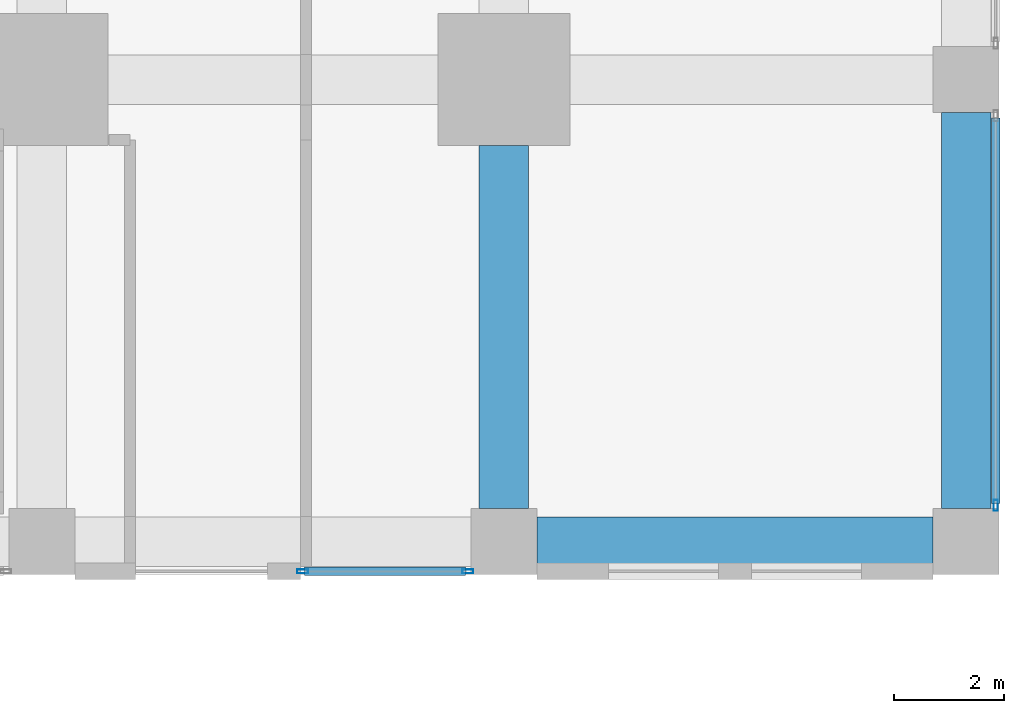
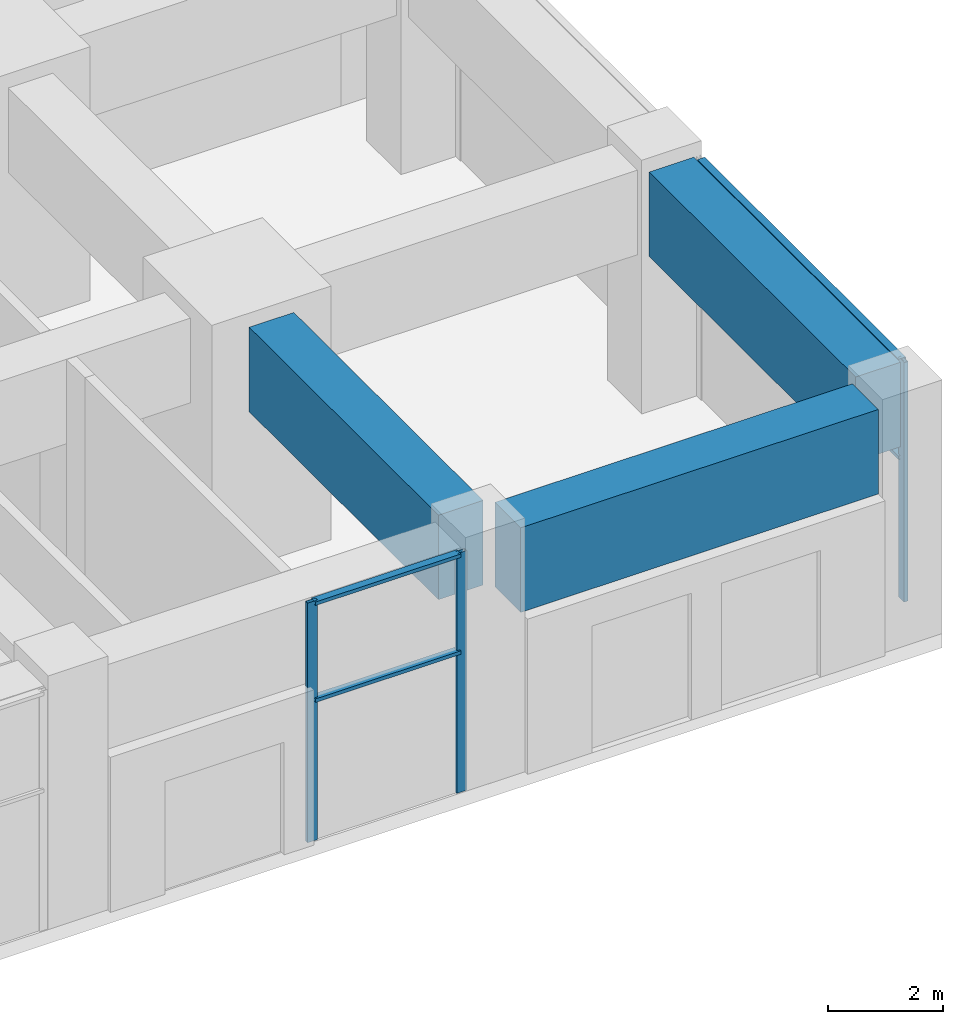
# One storey, part 29 of 81: 7 members, 3 beams, 2 elements without a shape of their own.
"""IFC4 building model written with IfcOpenShell, lengths in metres."""

import ifcopenshell
import ifcopenshell.guid

model = None  # the IFC model being written
_history = None  # IfcOwnerHistory: only IFC2X3 demands one
_inside = {}  # id of a spatial element -> (the spatial element, [elements in it])
_under = {}  # id of a project, library or spatial element -> (it, [spatial elements below it])
_declared = {}  # id of a project -> (the project, [libraries it declares])
_typed = {}  # id of a type object -> (the type object, [elements of that type])
_made_of = {}  # id of a material, layer set ... -> (it, [elements and type objects made of it])


def new_model(schema):
    """Start an empty IFC model of exactly this schema.

    Asked for "IFC4X3", IfcOpenShell would pick the latest addendum, in which some entities
    have other attributes; the version numbers below select the first issue.
    IFC2X3 requires an IfcOwnerHistory on every rooted entity: one is made here for all.
    """
    global model, _history
    if schema == "IFC4X3":
        model = ifcopenshell.file(schema_version=(4, 3, 0, 0))
    else:
        model = ifcopenshell.file(schema=schema)
    _inside.clear()
    _under.clear()
    _declared.clear()
    _typed.clear()
    _made_of.clear()
    _history = None
    if model.schema == "IFC2X3":
        org = make("IfcOrganization", Name="unknown")
        user = make(
            "IfcPersonAndOrganization",
            ThePerson=make("IfcPerson", FamilyName="unknown"),
            TheOrganization=org,
        )
        app = make(
            "IfcApplication",
            ApplicationDeveloper=org,
            Version="unknown",
            ApplicationFullName="unknown",
            ApplicationIdentifier="unknown",
        )
        _history = make(
            "IfcOwnerHistory",
            OwningUser=user,
            OwningApplication=app,
            ChangeAction="ADDED",
            CreationDate=0,
        )
    return model


def make(cls, **values):
    """One entity of the class cls with the attributes given. An attribute that is None is left unset."""
    return model.create_entity(
        cls, **{name: value for name, value in values.items() if value is not None}
    )


def rooted(cls, **values):
    """An entity with a GlobalId (a new one), such as an element, a storey or a relation."""
    return make(cls, GlobalId=ifcopenshell.guid.new(), OwnerHistory=_history, **values)


def si_unit(unit_type, name, prefix=None):
    """IfcSIUnit, for example si_unit("LENGTHUNIT", "METRE", prefix="MILLI")."""
    return make("IfcSIUnit", UnitType=unit_type, Prefix=prefix, Name=name)


def assignment(units):
    """IfcUnitAssignment: the units of a project."""
    return None if units is None else make("IfcUnitAssignment", Units=units)


def point(xyz):
    """IfcCartesianPoint."""
    return None if xyz is None else make("IfcCartesianPoint", Coordinates=xyz)


def direction(xyz):
    """IfcDirection."""
    return None if xyz is None else make("IfcDirection", DirectionRatios=xyz)


def frame(location, z_axis=None, x_axis=None):
    """IfcAxis2Placement3D, a coordinate frame: its origin and axes. An axis left out is left unset."""
    return make(
        "IfcAxis2Placement3D",
        Location=point(location),
        Axis=direction(z_axis),
        RefDirection=direction(x_axis),
    )


def frame_2d(location, x_axis=None):
    """IfcAxis2Placement2D, a coordinate frame in the plane: its origin and x axis."""
    return make(
        "IfcAxis2Placement2D", Location=point(location), RefDirection=direction(x_axis)
    )


def origin():
    """The frame at (0, 0, 0) with its axes left unset."""
    return frame((0.0, 0.0, 0.0))


def origin_2d():
    """The frame at (0, 0) in the plane with its x axis left unset."""
    return frame_2d((0.0, 0.0))


def place(relative_to, where):
    """IfcLocalPlacement: puts the frame where relative to a parent placement (None: the world)."""
    return make(
        "IfcLocalPlacement", PlacementRelTo=relative_to, RelativePlacement=where
    )


def context(
    kind, dimensions, precision=None, world=None, true_north=None, identifier=None
):
    """IfcGeometricRepresentationContext, for example the 3D "Model" context."""
    return make(
        "IfcGeometricRepresentationContext",
        ContextIdentifier=identifier,
        ContextType=kind,
        CoordinateSpaceDimension=dimensions,
        Precision=precision,
        WorldCoordinateSystem=world,
        TrueNorth=true_north,
    )


def subcontext(parent, identifier, kind, view, scale=None):
    """IfcGeometricRepresentationSubContext, for example "Body" below "Model"."""
    return make(
        "IfcGeometricRepresentationSubContext",
        ContextIdentifier=identifier,
        ContextType=kind,
        ParentContext=parent,
        TargetScale=scale,
        TargetView=view,
    )


def project(units=None, contexts=None):
    """IfcProject with its units and contexts."""
    return rooted(
        "IfcProject",
        Name="project",
        RepresentationContexts=contexts,
        UnitsInContext=assignment(units),
    )


def spatial(cls, under=None, at=None, **own):
    """A site, building, storey or space (cls), placed at a placement, below another one or the project."""
    s = rooted(cls, ObjectPlacement=at, **own)
    if under is not None:
        _under.setdefault(under.id(), (under, []))[1].append(s)
    return s


def profile(cls, at=None, kind="AREA", **sizes):
    """A parametric profile (cls). Its sizes go by their IFC names, for example OverallWidth=200.0."""
    return make(cls, ProfileType=kind, Position=at, **sizes)


def rectangle(**sizes):
    """IfcRectangleProfileDef."""
    return profile("IfcRectangleProfileDef", **sizes)


def hollow_rectangle(**sizes):
    """IfcRectangleHollowProfileDef."""
    return profile("IfcRectangleHollowProfileDef", **sizes)


def extrude(swept, where, along, depth):
    """IfcExtrudedAreaSolid: the profile swept, set in the frame where, extruded along a direction by depth."""
    return make(
        "IfcExtrudedAreaSolid",
        SweptArea=swept,
        Position=where,
        ExtrudedDirection=direction(along),
        Depth=depth,
    )


def shape(context_of_items, identifier, shape_type, items):
    """IfcShapeRepresentation: the items that make up one representation, for example the "Body"."""
    return make(
        "IfcShapeRepresentation",
        ContextOfItems=context_of_items,
        RepresentationIdentifier=identifier,
        RepresentationType=shape_type,
        Items=items,
    )


def material(Name=None, Category=None):
    """IfcMaterial."""
    return make("IfcMaterial", Name=Name, Category=Category)


def material_profile(
    of_material, cross_section, Name=None, Category=None, Priority=None
):
    """IfcMaterialProfile: a cross section and its material."""
    return make(
        "IfcMaterialProfile",
        Name=Name,
        Material=of_material,
        Profile=cross_section,
        Priority=Priority,
        Category=Category,
    )


def profile_set(profiles, Name=None, composite=None):
    """IfcMaterialProfileSet."""
    return make(
        "IfcMaterialProfileSet",
        Name=Name,
        MaterialProfiles=profiles,
        CompositeProfile=composite,
    )


def made_of(thing, what):
    """Note that an element or type object is made of a material, layer set ...; save() writes the relation."""
    if what is not None:
        _made_of.setdefault(what.id(), (what, []))[1].append(thing)
    return thing


def type_object(cls, material=None, **own):
    """A type object (cls), such as IfcWallType, which elements share."""
    return made_of(rooted(cls, **own), material)


def element(
    cls,
    number,
    at=None,
    inside=None,
    cuts=None,
    type_object=None,
    material=None,
    context=None,
    identifier="Body",
    shape_type=None,
    held_by="IfcProductDefinitionShape",
    body=None,
    shapes=None,
    **own,
):
    """One element of the class cls, such as IfcWall. Its Tag is "e" and its number.

    at: its placement. inside: the storey or other place that contains it. cuts: it is an
    opening in that element (IfcRelVoidsElement). A single representation is given by context,
    identifier, shape_type and body (its items); several are given by shapes. held_by: the class
    of the entity that holds the representations. save() writes the other relations.
    """
    e = rooted(cls, Tag="e%d" % number, ObjectPlacement=at, **own)
    if body is not None:
        shapes = [shape(context, identifier, shape_type, body)]
    if shapes is not None:
        e.Representation = make(held_by, Representations=shapes)
    if inside is not None:
        _inside.setdefault(inside.id(), (inside, []))[1].append(e)
    if cuts is not None:
        rooted(
            "IfcRelVoidsElement", RelatingBuildingElement=cuts, RelatedOpeningElement=e
        )
    if type_object is not None:
        _typed.setdefault(type_object.id(), (type_object, []))[1].append(e)
    return made_of(e, material)


def aggregate(whole, parts):
    """IfcRelAggregates: a whole, such as a stair, and the parts it consists of."""
    return rooted("IfcRelAggregates", RelatingObject=whole, RelatedObjects=parts)


def save(model, path):
    """Write the relations noted so far, then the file.

    IfcRelAggregates (storeys below a building ...), IfcRelContainedInSpatialStructure (elements
    in a storey), IfcRelDefinesByType, IfcRelAssociatesMaterial and IfcRelDeclares: one each for
    every whole, place, type object, material and project.
    """
    for whole, parts in _under.values():
        aggregate(whole, parts)
    for where, things in _inside.values():
        rooted(
            "IfcRelContainedInSpatialStructure",
            RelatedElements=things,
            RelatingStructure=where,
        )
    for kind, things in _typed.values():
        rooted("IfcRelDefinesByType", RelatedObjects=things, RelatingType=kind)
    for what, things in _made_of.values():
        rooted("IfcRelAssociatesMaterial", RelatedObjects=things, RelatingMaterial=what)
    for by, libraries in _declared.values():
        rooted("IfcRelDeclares", RelatingContext=by, RelatedDefinitions=libraries)
    model.write(path)


model = new_model("IFC4")

# Units and contexts
model_context = context("Model", 3, precision=1e-05, world=origin(), true_north=direction((0.0, 1.0)))
body_context = subcontext(model_context, "Body", "Model", "MODEL_VIEW")
ifc_project = project(units=[si_unit("LENGTHUNIT", "METRE"), si_unit("AREAUNIT", "SQUARE_METRE"), si_unit("VOLUMEUNIT", "CUBIC_METRE"), si_unit("PLANEANGLEUNIT", "RADIAN"), si_unit("MASSUNIT", "GRAM", prefix="KILO")], contexts=[model_context])

# Site, building, storey
site_placement = place(None, origin())
site = spatial("IfcSite", under=ifc_project, at=site_placement, CompositionType="ELEMENT")
building_placement = place(site_placement, origin())
building = spatial("IfcBuilding", under=site, at=building_placement, Name="Rekha Terrace Tower", CompositionType="ELEMENT")
storey_placement = place(building_placement, origin())
storey = spatial("IfcBuildingStorey", under=building, at=storey_placement, Name="L00", CompositionType="ELEMENT", Elevation=0.0)

# Curtain wall, members
ifc_material_1 = material(Name="Aluminium framing", Category="aluminium")
curtain_wall_type = type_object("IfcCurtainWallType", Name="CW4 podium shopfront glazing", PredefinedType="USERDEFINED", material=ifc_material_1)
curtain_wall_1_placement = place(storey_placement, origin())
curtain_wall_1 = element("IfcCurtainWall", 1, at=curtain_wall_1_placement, inside=storey, type_object=curtain_wall_type, Name="CW4 shopfront curtain wall", ObjectType="SHOPFRONT CURTAIN WALL", PredefinedType="USERDEFINED")
ifc_material_2 = material(Name="Aluminium mullion section", Category="aluminium")
ifc_material_profile_1 = material_profile(ifc_material_2, hollow_rectangle(XDim=0.074951171875, YDim=0.199951171875, WallThickness=0.00390625, at=origin_2d()), Name="AL RHS 75x200")
ifc_profile_set_1 = profile_set([ifc_material_profile_1], Name="Aluminium mullion section")
member_type_1 = type_object("IfcMemberType", Name="CW4 mullion RHS 75 x 200", PredefinedType="MULLION", material=ifc_profile_set_1)
member_1_placement = place(storey_placement, frame((63.53759765625, -0.5400390625, 0.0), z_axis=(0.0, 0.0, 1.0), x_axis=(0.0, 1.0, 0.0)))
member_1 = element("IfcMember", 2, at=member_1_placement, type_object=member_type_1, Name="CW4 mullion 1", PredefinedType="MULLION", context=body_context, shape_type="SweptSolid", body=[
    extrude(hollow_rectangle(XDim=0.074951171875, YDim=0.199951171875, WallThickness=0.00390625, at=origin_2d()), origin(), (0.0, 0.0, 1.0), 5.10009765625),
])
member_2_placement = place(storey_placement, frame((66.54248046875, -0.5400390625, 0.0), z_axis=(0.0, 0.0, 1.0), x_axis=(0.0, 1.0, 0.0)))
member_2 = element("IfcMember", 3, at=member_2_placement, type_object=member_type_1, Name="CW4 mullion 2", PredefinedType="MULLION", context=body_context, shape_type="SweptSolid", body=[
    extrude(hollow_rectangle(XDim=0.074951171875, YDim=0.199951171875, WallThickness=0.00390625, at=origin_2d()), origin(), (0.0, 0.0, 1.0), 5.10009765625),
])

# Curtain wall, member
curtain_wall_2_placement = place(storey_placement, origin())
curtain_wall_2 = element("IfcCurtainWall", 4, at=curtain_wall_2_placement, inside=storey, type_object=curtain_wall_type, Name="CW4 shopfront curtain wall", ObjectType="SHOPFRONT CURTAIN WALL", PredefinedType="USERDEFINED")
member_3_placement = place(storey_placement, frame((76.139892578125, 0.657470703125, 0.0), z_axis=(0.0, 0.0, 1.0), x_axis=(-1.0, 0.0, 0.0)))
member_3 = element("IfcMember", 5, at=member_3_placement, type_object=member_type_1, Name="CW4 mullion 1", PredefinedType="MULLION", context=body_context, shape_type="SweptSolid", body=[
    extrude(hollow_rectangle(XDim=0.074951171875, YDim=0.199951171875, WallThickness=0.00390625, at=origin_2d()), origin(), (0.0, 0.0, 1.0), 5.10009765625),
])

# Member
ifc_material_3 = material(Name="Aluminium transom section", Category="aluminium")
ifc_material_profile_2 = material_profile(ifc_material_3, hollow_rectangle(XDim=0.14990234375, YDim=0.074951171875, WallThickness=0.0029296875, at=origin_2d()), Name="AL RHS 150x75")
ifc_profile_set_2 = profile_set([ifc_material_profile_2], Name="Aluminium transom section")
member_type_2 = type_object("IfcMemberType", Name="CW4 transom RHS 75 x 150", PredefinedType="USERDEFINED", material=ifc_profile_set_2)
member_4_placement = place(storey_placement, frame((63.574951171875, -0.5400390625, 3.0), z_axis=(1.0, 0.0, 0.0), x_axis=(0.0, 1.0, 0.0)))
member_4 = element("IfcMember", 6, at=member_4_placement, type_object=member_type_2, Name="CW4 transom 1.2", ObjectType="TRANSOM", PredefinedType="USERDEFINED", context=body_context, shape_type="SweptSolid", body=[
    extrude(hollow_rectangle(XDim=0.14990234375, YDim=0.074951171875, WallThickness=0.0029296875, at=origin_2d()), origin(), (0.0, 0.0, 1.0), 2.929931640625),
])

member_5_placement = place(storey_placement, frame((63.574951171875, -0.5400390625, 5.0625), z_axis=(1.0, 0.0, 0.0), x_axis=(0.0, 1.0, 0.0)))
member_5 = element("IfcMember", 7, at=member_5_placement, type_object=member_type_2, Name="CW4 transom 1.3", ObjectType="TRANSOM", PredefinedType="USERDEFINED", context=body_context, shape_type="SweptSolid", body=[
    extrude(hollow_rectangle(XDim=0.14990234375, YDim=0.074951171875, WallThickness=0.0029296875, at=origin_2d()), origin(), (0.0, 0.0, 1.0), 2.929931640625),
])

aggregate(curtain_wall_1, [member_1, member_2, member_4, member_5])

member_6_placement = place(storey_placement, frame((76.139892578125, 0.695068359375, 3.0), z_axis=(0.0, 1.0, 0.0), x_axis=(-1.0, 0.0, 0.0)))
member_6 = element("IfcMember", 8, at=member_6_placement, type_object=member_type_2, Name="CW4 transom 1.2", ObjectType="TRANSOM", PredefinedType="USERDEFINED", context=body_context, shape_type="SweptSolid", body=[
    extrude(hollow_rectangle(XDim=0.14990234375, YDim=0.074951171875, WallThickness=0.0029296875, at=origin_2d()), origin(), (0.0, 0.0, 1.0), 7.010009765625),
])

member_7_placement = place(storey_placement, frame((76.139892578125, 0.695068359375, 5.0625), z_axis=(0.0, 1.0, 0.0), x_axis=(-1.0, 0.0, 0.0)))
member_7 = element("IfcMember", 9, at=member_7_placement, type_object=member_type_2, Name="CW4 transom 1.3", ObjectType="TRANSOM", PredefinedType="USERDEFINED", context=body_context, shape_type="SweptSolid", body=[
    extrude(hollow_rectangle(XDim=0.14990234375, YDim=0.074951171875, WallThickness=0.0029296875, at=origin_2d()), origin(), (0.0, 0.0, 1.0), 7.010009765625),
])

aggregate(curtain_wall_2, [member_3, member_6, member_7])

# Beams
ifc_material_4 = material(Name="Concrete M60", Category="concrete")
ifc_material_profile_3 = material_profile(ifc_material_4, rectangle(XDim=0.89990234375, YDim=1.800048828125, at=origin_2d()), Name="RC 900x1800")
ifc_profile_set_3 = profile_set([ifc_material_profile_3], Name="Concrete M60")
beam_type = type_object("IfcBeamType", Name="G1 900x1800 podium floor beam", PredefinedType="BEAM", material=ifc_profile_set_3)
beam_1_placement = place(storey_placement, frame((67.800048828125, 0.0, 4.199951171875), z_axis=(1.0, 0.0, 0.0), x_axis=(0.0, 1.0, 0.0)))
element("IfcBeam", 10, at=beam_1_placement, inside=storey, type_object=beam_type, Name="Beam G1 9A-10A under L01", PredefinedType="BEAM", context=body_context, shape_type="SweptSolid", body=[
    extrude(rectangle(XDim=0.89990234375, YDim=1.800048828125, at=origin_2d()), origin(), (0.0, 0.0, 1.0), 7.199951171875),
])
beam_2_placement = place(storey_placement, frame((67.199951171875, 0.60009765625, 4.199951171875), z_axis=(0.0, 1.0, 0.0), x_axis=(-1.0, 0.0, 0.0)))
element("IfcBeam", 11, at=beam_2_placement, inside=storey, type_object=beam_type, Name="Beam G1 9A-9B under L01", PredefinedType="BEAM", context=body_context, shape_type="SweptSolid", body=[
    extrude(rectangle(XDim=0.89990234375, YDim=1.800048828125, at=origin_2d()), origin(), (0.0, 0.0, 1.0), 6.599853515625),
])
beam_3_placement = place(storey_placement, frame((75.60009765625, 0.60009765625, 4.199951171875), z_axis=(0.0, 1.0, 0.0), x_axis=(-1.0, 0.0, 0.0)))
element("IfcBeam", 12, at=beam_3_placement, inside=storey, type_object=beam_type, Name="Beam G1 10A-10B under L01", PredefinedType="BEAM", context=body_context, shape_type="SweptSolid", body=[
    extrude(rectangle(XDim=0.89990234375, YDim=1.800048828125, at=origin_2d()), origin(), (0.0, 0.0, 1.0), 7.199951171875),
])

save(model, "model.ifc")
